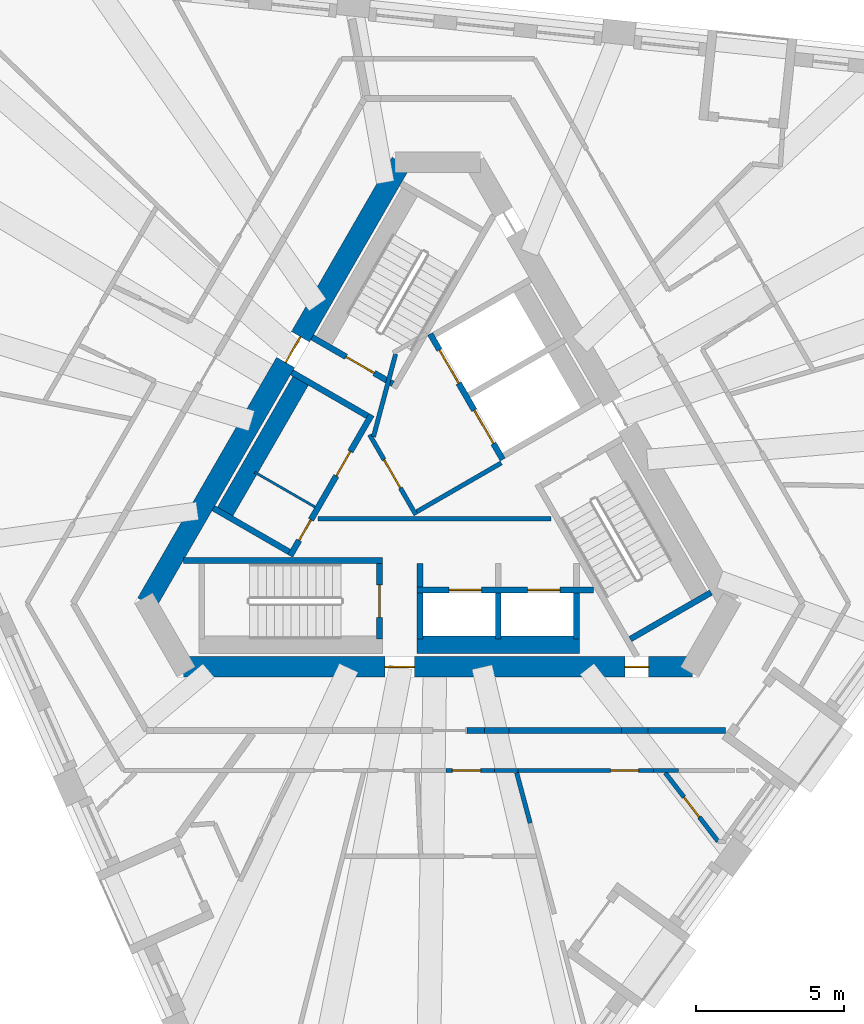
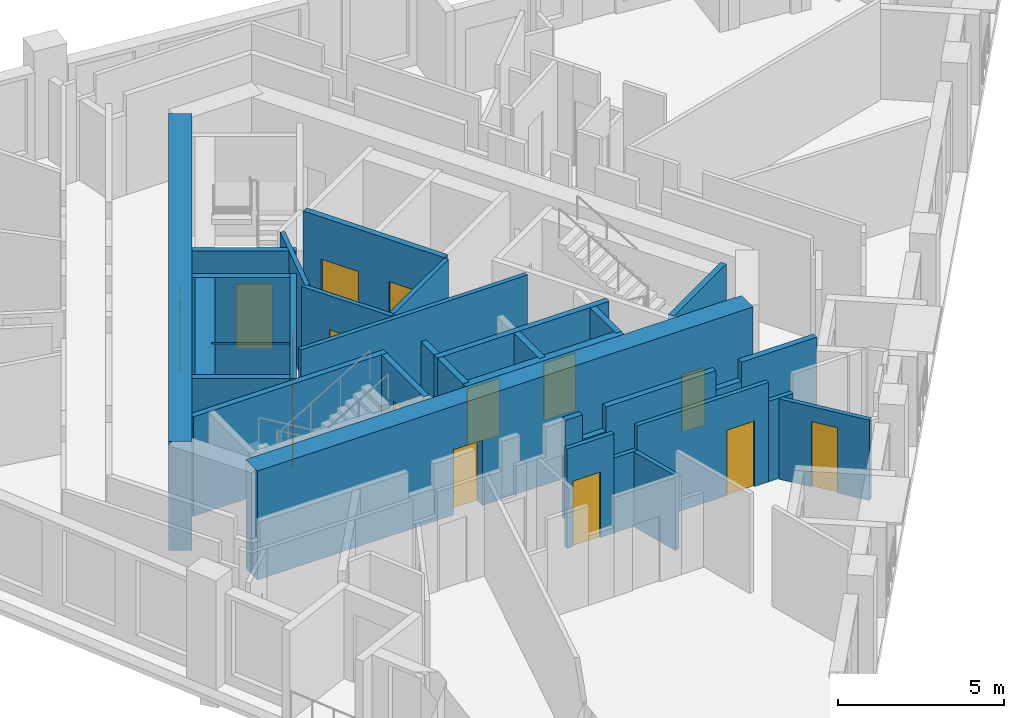
# One storey, part 4 of 11: 33 walls, 15 doors, 15 openings.
"""IFC4 building model written with IfcOpenShell, lengths in metres."""

from ifc_helpers import new_model, si_unit, direction, frame, frame_2d, origin, place, context, subcontext, project, spatial, rectangle, extrude, material, layer, layer_set, type_object, element, fill, save


model = new_model("IFC4")

# Units and contexts
model_context = context("Model", 3, precision=1e-05, world=origin(), true_north=direction((0.0, 1.0)))
body_context = subcontext(model_context, "Body", "Model", "MODEL_VIEW")
ifc_project = project(units=[si_unit("LENGTHUNIT", "METRE"), si_unit("AREAUNIT", "SQUARE_METRE"), si_unit("VOLUMEUNIT", "CUBIC_METRE"), si_unit("PLANEANGLEUNIT", "RADIAN"), si_unit("MASSUNIT", "GRAM", prefix="KILO")], contexts=[model_context])

# Site, building, storey
site_placement = place(None, origin())
site = spatial("IfcSite", under=ifc_project, at=site_placement, CompositionType="ELEMENT")
building_placement = place(site_placement, origin())
building = spatial("IfcBuilding", under=site, at=building_placement, Name="Tramontana Tower", CompositionType="ELEMENT")
storey_placement = place(building_placement, frame((0.0, 0.0, 249.199951171875)))
storey = spatial("IfcBuildingStorey", under=building, at=storey_placement, Name="L58", CompositionType="ELEMENT", Elevation=249.199951171875)

# Wall, opening, door
ifc_material_1 = material(Name="Concrete 70 MPa", Category="concrete")
ifc_layer_1 = layer(ifc_material_1, 0.699951171875)
ifc_layer_set_1 = layer_set([ifc_layer_1], Name="Core wall 700 70 MPa")
wall_type_1 = type_object("IfcWallType", Name="Core wall 700 70 MPa", PredefinedType="SHEAR", material=ifc_layer_set_1)
wall_1_placement = place(storey_placement, frame((-1.2412109375, 10.64990234375, 0.0), z_axis=(0.0, 0.0, 1.0), x_axis=(-0.500003331888, -0.866023480109, 0.0)))
wall_1 = element("IfcWall", 1, at=wall_1_placement, inside=storey, type_object=wall_type_1, Name="Core wall C1 L58", PredefinedType="SHEAR", context=body_context, shape_type="SweptSolid", body=[
    extrude(rectangle(XDim=17.205078125, YDim=0.699951171875, at=frame_2d((8.6025390625, 0.0))), origin(), (0.0, 0.0, 1.0), 4.0),
])
opening_1_placement = place(wall_1_placement, frame((6.8076171875, 0.0, 0.0)))
opening_1 = element("IfcOpeningElement", 2, at=opening_1_placement, cuts=wall_1, Name="Opening RG1", PredefinedType="OPENING", context=body_context, shape_type="SweptSolid", body=[
    extrude(rectangle(XDim=1.0, YDim=2.39990234375, at=frame_2d((0.5, 1.199951171875))), frame((0.0, 0.35986328125, 0.0), z_axis=(0.0, -1.0, 0.0), x_axis=(1.0, 0.0, 0.0)), (0.0, 0.0, 1.0), 0.719970703125),
])
ifc_material_2 = material(Name="Painted steel", Category="steel")
door_type_1 = type_object("IfcDoorType", Name="RING DOOR 1000", OperationType="SINGLE_SWING_LEFT", PredefinedType="DOOR", material=ifc_material_2)
door_1_placement = place(opening_1_placement, origin())
door_1 = element("IfcDoor", 3, at=door_1_placement, inside=storey, type_object=door_type_1, Name="Door RG1", OperationType="SINGLE_SWING_RIGHT", OverallHeight=2.39990234375, OverallWidth=1.0, PredefinedType="DOOR", context=body_context, shape_type="SweptSolid", body=[
    extrude(rectangle(XDim=1.0, YDim=2.39990234375, at=frame_2d((0.5, 1.199951171875))), frame((0.0, 0.02490234375, 0.0), z_axis=(0.0, -1.0, 0.0), x_axis=(1.0, 0.0, 0.0)), (0.0, 0.0, 1.0), 0.050048828125),
])
fill(opening_1, door_1)

# Wall, openings, doors
wall_2_placement = place(storey_placement, frame((-8.6025390625, -6.39990234375, 0.0), z_axis=(0.0, 0.0, 1.0), x_axis=(1.0, 0.0, 0.0)))
wall_2 = element("IfcWall", 4, at=wall_2_placement, inside=storey, type_object=wall_type_1, Name="Core wall C3 L58", PredefinedType="SHEAR", context=body_context, shape_type="SweptSolid", body=[
    extrude(rectangle(XDim=17.205078125, YDim=0.699951171875, at=frame_2d((8.6025390625, 0.0))), origin(), (0.0, 0.0, 1.0), 4.0),
])
opening_2_placement = place(wall_2_placement, frame((6.8076171875, 0.0, 0.0)))
opening_2 = element("IfcOpeningElement", 5, at=opening_2_placement, cuts=wall_2, Name="Opening RG2", PredefinedType="OPENING", context=body_context, shape_type="SweptSolid", body=[
    extrude(rectangle(XDim=1.0, YDim=2.39990234375, at=frame_2d((0.5, 1.199951171875))), frame((0.0, 0.35986328125, 0.0), z_axis=(0.0, -1.0, 0.0), x_axis=(1.0, 0.0, 0.0)), (0.0, 0.0, 1.0), 0.719970703125),
])
opening_3_placement = place(wall_2_placement, frame((14.921630859375, 0.0, 0.0)))
opening_3 = element("IfcOpeningElement", 6, at=opening_3_placement, cuts=wall_2, Name="Opening PD2", PredefinedType="OPENING", context=body_context, shape_type="SweptSolid", body=[
    extrude(rectangle(XDim=0.800048828125, YDim=2.10009765625, at=frame_2d((0.39990234375, 1.050048828125))), frame((0.0, 0.35986328125, 0.0), z_axis=(0.0, -1.0, 0.0), x_axis=(1.0, 0.0, 0.0)), (0.0, 0.0, 1.0), 0.719970703125),
])
ifc_material_3 = material(Name="Painted steel", Category="steel")
door_type_2 = type_object("IfcDoorType", Name="CUPBOARD DOOR 800", OperationType="SINGLE_SWING_LEFT", PredefinedType="DOOR", material=ifc_material_3)
door_2_placement = place(opening_3_placement, origin())
door_2 = element("IfcDoor", 7, at=door_2_placement, inside=storey, type_object=door_type_2, Name="Door PD2", OperationType="SINGLE_SWING_LEFT", OverallHeight=2.10009765625, OverallWidth=0.800048828125, PredefinedType="DOOR", context=body_context, shape_type="SweptSolid", body=[
    extrude(rectangle(XDim=0.800048828125, YDim=2.10009765625, at=frame_2d((0.39990234375, 1.050048828125))), frame((0.0, 0.02490234375, 0.0), z_axis=(0.0, -1.0, 0.0), x_axis=(1.0, 0.0, 0.0)), (0.0, 0.0, 1.0), 0.050048828125),
])
fill(opening_3, door_2)
door_3_placement = place(opening_2_placement, origin())
door_3 = element("IfcDoor", 8, at=door_3_placement, inside=storey, type_object=door_type_1, Name="Door RG2", OperationType="SINGLE_SWING_LEFT", OverallHeight=2.39990234375, OverallWidth=1.0, PredefinedType="DOOR", context=body_context, shape_type="SweptSolid", body=[
    extrude(rectangle(XDim=1.0, YDim=2.39990234375, at=frame_2d((0.5, 1.199951171875))), frame((0.0, 0.02490234375, 0.0), z_axis=(0.0, -1.0, 0.0), x_axis=(1.0, 0.0, 0.0)), (0.0, 0.0, 1.0), 0.050048828125),
])
fill(opening_2, door_3)

# Walls
ifc_material_4 = material(Name="Blockwork", Category="masonry")
ifc_layer_2 = layer(ifc_material_4, 0.199951171875)
ifc_layer_set_2 = layer_set([ifc_layer_2], Name="ENTRY WALL 200")
wall_type_2 = type_object("IfcWallType", Name="ENTRY WALL 200", PredefinedType="SOLIDWALL", material=ifc_layer_set_2)
wall_3_placement = place(storey_placement, frame((9.724609375, -8.550048828125, 0.0), z_axis=(0.0, 0.0, 1.0), x_axis=(-1.0, 0.0, 0.0)))
element("IfcWall", 9, at=wall_3_placement, inside=storey, type_object=wall_type_2, Name="Wall v61-ew1-0", PredefinedType="SOLIDWALL", context=body_context, shape_type="SweptSolid", body=[
    extrude(rectangle(XDim=2.62548828125, YDim=0.199951171875, at=frame_2d((1.312744140625, 0.0))), origin(), (0.0, 0.0, 1.0), 3.650146484375),
])
wall_4_placement = place(storey_placement, frame((7.09912109375, -8.550048828125, 0.0), z_axis=(0.0, 0.0, 1.0), x_axis=(-1.0, 0.0, 0.0)))
element("IfcWall", 10, at=wall_4_placement, inside=storey, type_object=wall_type_2, Name="Wall v61-ew1-1", PredefinedType="SOLIDWALL", context=body_context, shape_type="SweptSolid", body=[
    extrude(rectangle(XDim=0.88720703125, YDim=0.199951171875, at=frame_2d((0.443603515625, 0.0))), origin(), (0.0, 0.0, 1.0), 2.949951171875),
])
wall_5_placement = place(storey_placement, frame((6.2119140625, -8.550048828125, 0.0), z_axis=(0.0, 0.0, 1.0), x_axis=(-1.0, 0.0, 0.0)))
element("IfcWall", 11, at=wall_5_placement, inside=storey, type_object=wall_type_2, Name="Wall v61-ew1-2", PredefinedType="SOLIDWALL", context=body_context, shape_type="SweptSolid", body=[
    extrude(rectangle(XDim=3.810546875, YDim=0.199951171875, at=frame_2d((1.9052734375, 0.0))), origin(), (0.0, 0.0, 1.0), 3.650146484375),
])
wall_6_placement = place(storey_placement, frame((2.4013671875, -8.550048828125, 0.0), z_axis=(0.0, 0.0, 1.0), x_axis=(-1.0, 0.0, 0.0)))
element("IfcWall", 12, at=wall_6_placement, inside=storey, type_object=wall_type_2, Name="Wall v61-ew1-3", PredefinedType="SOLIDWALL", context=body_context, shape_type="SweptSolid", body=[
    extrude(rectangle(XDim=0.8212890625, YDim=0.199951171875, at=frame_2d((0.41064453125, 0.0))), origin(), (0.0, 0.0, 1.0), 2.75),
])
wall_7_placement = place(storey_placement, frame((1.580078125, -8.550048828125, 0.0), z_axis=(0.0, 0.0, 1.0), x_axis=(-1.0, 0.0, 0.0)))
element("IfcWall", 13, at=wall_7_placement, inside=storey, type_object=wall_type_2, Name="Wall v61-ew1-4", PredefinedType="SOLIDWALL", context=body_context, shape_type="SweptSolid", body=[
    extrude(rectangle(XDim=0.599609375, YDim=0.199951171875, at=frame_2d((0.2998046875, 0.0))), origin(), (0.0, 0.0, 1.0), 3.650146484375),
])

# Wall, opening, door
ifc_material_5 = material(Name="Gypsum board partition")
ifc_layer_3 = layer(ifc_material_5, 0.14990234375)
ifc_layer_set_3 = layer_set([ifc_layer_3], Name="PARTITION 150")
wall_type_3 = type_object("IfcWallType", Name="PARTITION 150", PredefinedType="PARTITIONING", material=ifc_layer_set_3)
wall_8_placement = place(storey_placement, frame((-0.744140625, -1.260986328125, 0.0), z_axis=(0.0, 0.0, 1.0), x_axis=(-0.500004234368, 0.866022959057, 0.0)))
wall_8 = element("IfcWall", 14, at=wall_8_placement, inside=storey, type_object=wall_type_3, Name="Wall ff-front", PredefinedType="PARTITIONING", context=body_context, shape_type="SweptSolid", body=[
    extrude(rectangle(XDim=3.125, YDim=0.14990234375, at=frame_2d((1.5625, 0.0))), origin(), (0.0, 0.0, 1.0), 3.650146484375),
])
opening_4_placement = place(wall_8_placement, frame((1.050048828125, 0.0, 0.0)))
opening_4 = element("IfcOpeningElement", 15, at=opening_4_placement, cuts=wall_8, Name="Opening FD1", PredefinedType="OPENING", context=body_context, shape_type="SweptSolid", body=[
    extrude(rectangle(XDim=1.10009765625, YDim=2.39990234375, at=frame_2d((0.550048828125, 1.199951171875))), frame((0.0, 0.0849609375, 0.0), z_axis=(0.0, -1.0, 0.0), x_axis=(1.0, 0.0, 0.0)), (0.0, 0.0, 1.0), 0.169921875),
])
ifc_material_6 = material(Name="Painted timber", Category="wood")
door_type_3 = type_object("IfcDoorType", Name="DOOR ENTRY 1100", OperationType="SINGLE_SWING_LEFT", PredefinedType="DOOR", material=ifc_material_6)
door_4_placement = place(opening_4_placement, origin())
door_4 = element("IfcDoor", 16, at=door_4_placement, inside=storey, type_object=door_type_3, Name="Door FD1", OperationType="SINGLE_SWING_LEFT", OverallHeight=2.39990234375, OverallWidth=1.10009765625, PredefinedType="DOOR", context=body_context, shape_type="SweptSolid", body=[
    extrude(rectangle(XDim=1.10009765625, YDim=2.39990234375, at=frame_2d((0.550048828125, 1.199951171875))), frame((0.0, 0.02490234375, 0.0), z_axis=(0.0, -1.0, 0.0), x_axis=(1.0, 0.0, 0.0)), (0.0, 0.0, 1.0), 0.050048828125),
])
fill(opening_4, door_4)

# Walls
wall_9_placement = place(storey_placement, frame((-0.716796875, -1.15869140625, 0.0), z_axis=(0.0, 0.0, 1.0), x_axis=(0.866008176907, 0.50002983664, 0.0)))
element("IfcWall", 17, at=wall_9_placement, inside=storey, type_object=wall_type_3, Name="Wall ff-end0", PredefinedType="PARTITIONING", context=body_context, shape_type="SweptSolid", body=[
    extrude(rectangle(XDim=3.300048828125, YDim=0.14990234375, at=frame_2d((1.64990234375, 0.0))), origin(), (0.0, 0.0, 1.0), 3.650146484375),
])
wall_10_placement = place(storey_placement, frame((-2.177978515625, 1.372314453125, 0.0), z_axis=(0.0, 0.0, 1.0), x_axis=(0.258808958833, 0.96592852884, 0.0)))
element("IfcWall", 18, at=wall_10_placement, inside=storey, type_object=wall_type_3, Name="Wall ff-diag", PredefinedType="PARTITIONING", context=body_context, shape_type="SweptSolid", body=[
    extrude(rectangle(XDim=2.902587890625, YDim=0.14990234375, at=frame_2d((1.451171875, 0.0))), origin(), (0.0, 0.0, 1.0), 3.650146484375),
])
wall_11_placement = place(storey_placement, frame((-4.053466796875, -1.39990234375, 0.0), z_axis=(0.0, 0.0, 1.0), x_axis=(1.0, 0.0, 0.0)))
element("IfcWall", 19, at=wall_11_placement, inside=storey, type_object=wall_type_3, Name="Wall hub-cut1", PredefinedType="PARTITIONING", context=body_context, shape_type="SweptSolid", body=[
    extrude(rectangle(XDim=7.8759765625, YDim=0.14990234375, at=frame_2d((3.93798828125, 0.0))), origin(), (0.0, 0.0, 1.0), 3.650146484375),
])
wall_12_placement = place(storey_placement, frame((2.662353515625, -9.97509765625, 0.0), z_axis=(0.0, 0.0, 1.0), x_axis=(0.25785226736, -0.966184355192, 0.0)))
element("IfcWall", 20, at=wall_12_placement, inside=storey, type_object=wall_type_3, Name="Wall v61-pw18-0", PredefinedType="PARTITIONING", context=body_context, shape_type="SweptSolid", body=[
    extrude(rectangle(XDim=1.762939453125, YDim=0.14990234375, at=frame_2d((0.88134765625, 0.0))), origin(), (0.0, 0.0, 1.0), 2.75),
])

# Wall, opening, door
wall_13_placement = place(storey_placement, frame((7.68017578125, -9.97509765625, 0.0), z_axis=(0.0, 0.0, 1.0), x_axis=(0.610056512493, -0.792357906229, 0.0)))
wall_13 = element("IfcWall", 21, at=wall_13_placement, inside=storey, type_object=wall_type_3, Name="Wall v61-pw26-0", PredefinedType="PARTITIONING", context=body_context, shape_type="SweptSolid", body=[
    extrude(rectangle(XDim=2.934326171875, YDim=0.14990234375, at=frame_2d((1.46728515625, 0.0))), origin(), (0.0, 0.0, 1.0), 2.949951171875),
])
opening_5_placement = place(wall_13_placement, frame((1.042236328125, 0.0, 0.0)))
opening_5 = element("IfcOpeningElement", 22, at=opening_5_placement, cuts=wall_13, Name="Opening B6B-13", PredefinedType="OPENING", context=body_context, shape_type="SweptSolid", body=[
    extrude(rectangle(XDim=0.85009765625, YDim=2.39990234375, at=frame_2d((0.425048828125, 1.199951171875))), frame((0.0, 0.0849609375, 0.0), z_axis=(0.0, -1.0, 0.0), x_axis=(1.0, 0.0, 0.0)), (0.0, 0.0, 1.0), 0.169921875),
])
ifc_material_7 = material(Name="Painted timber", Category="wood")
door_type_4 = type_object("IfcDoorType", Name="DOOR BATH 850", OperationType="SINGLE_SWING_LEFT", PredefinedType="DOOR", material=ifc_material_7)
door_5_placement = place(opening_5_placement, origin())
door_5 = element("IfcDoor", 23, at=door_5_placement, inside=storey, type_object=door_type_4, Name="Door B6B-13", OperationType="SINGLE_SWING_LEFT", OverallHeight=2.39990234375, OverallWidth=0.85009765625, PredefinedType="DOOR", context=body_context, shape_type="SweptSolid", body=[
    extrude(rectangle(XDim=0.85009765625, YDim=2.39990234375, at=frame_2d((0.425048828125, 1.199951171875))), frame((0.0, 0.02490234375, 0.0), z_axis=(0.0, -1.0, 0.0), x_axis=(1.0, 0.0, 0.0)), (0.0, 0.0, 1.0), 0.050048828125),
])
fill(opening_5, door_5)

# Wall
wall_14_placement = place(storey_placement, frame((8.134033203125, -9.89990234375, 0.0), z_axis=(0.0, 0.0, 1.0), x_axis=(-1.0, 0.0, 0.0)))
element("IfcWall", 24, at=wall_14_placement, inside=storey, type_object=wall_type_3, Name="Wall v61-pw28-1", PredefinedType="PARTITIONING", context=body_context, shape_type="SweptSolid", body=[
    extrude(rectangle(XDim=0.85546875, YDim=0.14990234375, at=frame_2d((0.427734375, 0.0))), origin(), (0.0, 0.0, 1.0), 2.949951171875),
])

# Wall, opening, door
wall_15_placement = place(storey_placement, frame((7.278564453125, -9.89990234375, 0.0), z_axis=(0.0, 0.0, 1.0), x_axis=(-1.0, 0.0, 0.0)))
wall_15 = element("IfcWall", 25, at=wall_15_placement, inside=storey, type_object=wall_type_3, Name="Wall v61-pw28-2", PredefinedType="PARTITIONING", context=body_context, shape_type="SweptSolid", body=[
    extrude(rectangle(XDim=4.57568359375, YDim=0.14990234375, at=frame_2d((2.287841796875, 0.0))), origin(), (0.0, 0.0, 1.0), 3.650146484375),
])
opening_6_placement = place(wall_15_placement, frame((0.492919921875, 0.0, 0.0)))
opening_6 = element("IfcOpeningElement", 26, at=opening_6_placement, cuts=wall_15, Name="Opening B6B-11", PredefinedType="OPENING", context=body_context, shape_type="SweptSolid", body=[
    extrude(rectangle(XDim=0.949951171875, YDim=2.39990234375, at=frame_2d((0.47509765625, 1.199951171875))), frame((0.0, 0.0849609375, 0.0), z_axis=(0.0, -1.0, 0.0), x_axis=(1.0, 0.0, 0.0)), (0.0, 0.0, 1.0), 0.169921875),
])
ifc_material_8 = material(Name="Painted timber", Category="wood")
door_type_5 = type_object("IfcDoorType", Name="DOOR ROOM 950", OperationType="SINGLE_SWING_LEFT", PredefinedType="DOOR", material=ifc_material_8)
door_6_placement = place(opening_6_placement, origin())
door_6 = element("IfcDoor", 27, at=door_6_placement, inside=storey, type_object=door_type_5, Name="Door B6B-11", OperationType="SINGLE_SWING_LEFT", OverallHeight=2.39990234375, OverallWidth=0.949951171875, PredefinedType="DOOR", context=body_context, shape_type="SweptSolid", body=[
    extrude(rectangle(XDim=0.949951171875, YDim=2.39990234375, at=frame_2d((0.47509765625, 1.199951171875))), frame((0.0, 0.02490234375, 0.0), z_axis=(0.0, -1.0, 0.0), x_axis=(1.0, 0.0, 0.0)), (0.0, 0.0, 1.0), 0.050048828125),
])
fill(opening_6, door_6)

# Wall
wall_16_placement = place(storey_placement, frame((2.702880859375, -9.89990234375, 0.0), z_axis=(0.0, 0.0, 1.0), x_axis=(-1.0, 0.0, 0.0)))
element("IfcWall", 28, at=wall_16_placement, inside=storey, type_object=wall_type_3, Name="Wall v61-pw28-3", PredefinedType="PARTITIONING", context=body_context, shape_type="SweptSolid", body=[
    extrude(rectangle(XDim=0.795654296875, YDim=0.14990234375, at=frame_2d((0.39794921875, 0.0))), origin(), (0.0, 0.0, 1.0), 2.75),
])

# Wall, opening, door
wall_17_placement = place(storey_placement, frame((1.9072265625, -9.89990234375, 0.0), z_axis=(0.0, 0.0, 1.0), x_axis=(-1.0, 0.0, 0.0)))
wall_17 = element("IfcWall", 29, at=wall_17_placement, inside=storey, type_object=wall_type_3, Name="Wall v61-pw28-4", PredefinedType="PARTITIONING", context=body_context, shape_type="SweptSolid", body=[
    extrude(rectangle(XDim=1.626220703125, YDim=0.14990234375, at=frame_2d((0.81298828125, 0.0))), origin(), (0.0, 0.0, 1.0), 3.650146484375),
])
opening_7_placement = place(wall_17_placement, frame((0.46484375, 0.0, 0.0)))
opening_7 = element("IfcOpeningElement", 30, at=opening_7_placement, cuts=wall_17, Name="Opening B6B-08", PredefinedType="OPENING", context=body_context, shape_type="SweptSolid", body=[
    extrude(rectangle(XDim=0.949951171875, YDim=2.39990234375, at=frame_2d((0.47509765625, 1.199951171875))), frame((0.0, 0.0849609375, 0.0), z_axis=(0.0, -1.0, 0.0), x_axis=(1.0, 0.0, 0.0)), (0.0, 0.0, 1.0), 0.169921875),
])
door_7_placement = place(opening_7_placement, origin())
door_7 = element("IfcDoor", 31, at=door_7_placement, inside=storey, type_object=door_type_5, Name="Door B6B-08", OperationType="SINGLE_SWING_RIGHT", OverallHeight=2.39990234375, OverallWidth=0.949951171875, PredefinedType="DOOR", context=body_context, shape_type="SweptSolid", body=[
    extrude(rectangle(XDim=0.949951171875, YDim=2.39990234375, at=frame_2d((0.47509765625, 1.199951171875))), frame((0.0, 0.02490234375, 0.0), z_axis=(0.0, -1.0, 0.0), x_axis=(1.0, 0.0, 0.0)), (0.0, 0.0, 1.0), 0.050048828125),
])
fill(opening_7, door_7)

# Walls
ifc_material_9 = material(Name="Gypsum board partition")
ifc_layer_4 = layer(ifc_material_9, 0.080078125)
ifc_layer_set_4 = layer_set([ifc_layer_4], Name="PARTITION 80")
wall_type_4 = type_object("IfcWallType", Name="PARTITION 80", PredefinedType="PARTITIONING", material=ifc_layer_set_4)
wall_18_placement = place(storey_placement, frame((-4.15478515625, -0.99609375, 0.0), z_axis=(0.0, 0.0, 1.0), x_axis=(-0.866016039709, 0.500016218704, 0.0)))
element("IfcWall", 32, at=wall_18_placement, inside=storey, type_object=wall_type_4, Name="Wall row0-split", PredefinedType="PARTITIONING", context=body_context, shape_type="SweptSolid", body=[
    extrude(rectangle(XDim=2.35009765625, YDim=0.080078125, at=frame_2d((1.175048828125, 0.0))), origin(), (0.0, 0.0, 1.0), 3.650146484375),
])
ifc_material_10 = material(Name="Concrete 70 MPa", Category="concrete")
ifc_layer_5 = layer(ifc_material_10, 0.60009765625)
ifc_layer_set_5 = layer_set([ifc_layer_5], Name="Concrete 70 MPa, 600 mm")
wall_type_5 = type_object("IfcWallType", Name="RC SHAFT BACK WALL 600", PredefinedType="SOLIDWALL", material=ifc_layer_set_5)
for number, where, z_axis, x_axis, name in (
    (33, (-4.5380859375, 3.43994140625, 0.0), (0.0, 0.0, 1.0), (-0.499996545922, -0.866027397988, 0.0), "Wall row0-back"),
    (34, (-0.7099609375, -5.64990234375, 0.0), (0.0, 0.0, 1.0), (1.0, 0.0, 0.0), "Wall row1-back"),
):
    element("IfcWall", number, at=place(storey_placement, frame(where, z_axis=z_axis, x_axis=x_axis)), inside=storey, type_object=wall_type_5, Name=name, PredefinedType="SOLIDWALL", context=body_context, shape_type="SweptSolid", body=[
        extrude(rectangle(XDim=5.5, YDim=0.60009765625, at=frame_2d((2.75, 0.0))), origin(), (0.0, 0.0, 1.0), 3.650146484375),
    ])

# Wall, opening, door
ifc_material_11 = material(Name="Concrete 70 MPa", Category="concrete")
ifc_layer_6 = layer(ifc_material_11, 0.199951171875)
ifc_layer_set_6 = layer_set([ifc_layer_6], Name="Concrete 70 MPa, 200 mm")
wall_type_6 = type_object("IfcWallType", Name="RC STAIR AND SHAFT WALL 200", PredefinedType="SOLIDWALL", material=ifc_layer_set_6)
wall_19_placement = place(storey_placement, frame((-1.521484375, 3.164794921875, 0.0), z_axis=(0.0, 0.0, 1.0), x_axis=(-0.866035871367, 0.499981869177, 0.0)))
wall_19 = element("IfcWall", 35, at=wall_19_placement, inside=storey, type_object=wall_type_6, Name="Wall st1-near", PredefinedType="SOLIDWALL", context=body_context, shape_type="SweptSolid", body=[
    extrude(rectangle(XDim=3.14990234375, YDim=0.199951171875, at=frame_2d((1.574951171875, 0.0))), origin(), (0.0, 0.0, 1.0), 3.650146484375),
])
opening_8_placement = place(wall_19_placement, frame((0.72509765625, 0.0, 0.0)))
opening_8 = element("IfcOpeningElement", 36, at=opening_8_placement, cuts=wall_19, Name="Opening SD1", PredefinedType="OPENING", context=body_context, shape_type="SweptSolid", body=[
    extrude(rectangle(XDim=1.10009765625, YDim=2.39990234375, at=frame_2d((0.550048828125, 1.199951171875))), frame((0.0, 0.10986328125, 0.0), z_axis=(0.0, -1.0, 0.0), x_axis=(1.0, 0.0, 0.0)), (0.0, 0.0, 1.0), 0.219970703125),
])
ifc_material_12 = material(Name="Painted steel", Category="steel")
door_type_6 = type_object("IfcDoorType", Name="STAIR DOOR 1100", OperationType="SINGLE_SWING_LEFT", PredefinedType="DOOR", material=ifc_material_12)
door_8_placement = place(opening_8_placement, origin())
door_8 = element("IfcDoor", 37, at=door_8_placement, inside=storey, type_object=door_type_6, Name="Door SD1", OperationType="SINGLE_SWING_RIGHT", OverallHeight=2.39990234375, OverallWidth=1.10009765625, PredefinedType="DOOR", context=body_context, shape_type="SweptSolid", body=[
    extrude(rectangle(XDim=1.10009765625, YDim=2.39990234375, at=frame_2d((0.550048828125, 1.199951171875))), frame((0.0, 0.02490234375, 0.0), z_axis=(0.0, -1.0, 0.0), x_axis=(1.0, 0.0, 0.0)), (0.0, 0.0, 1.0), 0.050048828125),
])
fill(opening_8, door_8)

# Wall
wall_20_placement = place(storey_placement, frame((-8.6025390625, -2.800048828125, 0.0), z_axis=(0.0, 0.0, 1.0), x_axis=(1.0, 0.0, 0.0)))
element("IfcWall", 38, at=wall_20_placement, inside=storey, type_object=wall_type_6, Name="Wall st2-front", PredefinedType="SOLIDWALL", context=body_context, shape_type="SweptSolid", body=[
    extrude(rectangle(XDim=6.72265625, YDim=0.199951171875, at=frame_2d((3.361328125, 0.0))), origin(), (0.0, 0.0, 1.0), 3.650146484375),
])

# Wall, opening, door
wall_21_placement = place(storey_placement, frame((-1.97998046875, -2.89990234375, 0.0), z_axis=(0.0, 0.0, 1.0), x_axis=(0.0, -1.0, 0.0)))
wall_21 = element("IfcWall", 39, at=wall_21_placement, inside=storey, type_object=wall_type_6, Name="Wall st2-near", PredefinedType="SOLIDWALL", context=body_context, shape_type="SweptSolid", body=[
    extrude(rectangle(XDim=2.550048828125, YDim=0.199951171875, at=frame_2d((1.27490234375, 0.0))), origin(), (0.0, 0.0, 1.0), 3.650146484375),
])
opening_9_placement = place(wall_21_placement, frame((0.72509765625, 0.0, 0.0)))
opening_9 = element("IfcOpeningElement", 40, at=opening_9_placement, cuts=wall_21, Name="Opening SD2", PredefinedType="OPENING", context=body_context, shape_type="SweptSolid", body=[
    extrude(rectangle(XDim=1.10009765625, YDim=2.39990234375, at=frame_2d((0.550048828125, 1.199951171875))), frame((0.0, 0.10986328125, 0.0), z_axis=(0.0, -1.0, 0.0), x_axis=(1.0, 0.0, 0.0)), (0.0, 0.0, 1.0), 0.219970703125),
])
door_9_placement = place(opening_9_placement, origin())
door_9 = element("IfcDoor", 41, at=door_9_placement, inside=storey, type_object=door_type_6, Name="Door SD2", OperationType="SINGLE_SWING_LEFT", OverallHeight=2.39990234375, OverallWidth=1.10009765625, PredefinedType="DOOR", context=body_context, shape_type="SweptSolid", body=[
    extrude(rectangle(XDim=1.10009765625, YDim=2.39990234375, at=frame_2d((0.550048828125, 1.199951171875))), frame((0.0, 0.02490234375, 0.0), z_axis=(0.0, -1.0, 0.0), x_axis=(1.0, 0.0, 0.0)), (0.0, 0.0, 1.0), 0.050048828125),
])
fill(opening_9, door_9)

# Wall
wall_22_placement = place(storey_placement, frame((6.50146484375, -5.4609375, 0.0), z_axis=(0.0, 0.0, 1.0), x_axis=(0.866035871367, 0.499981869177, 0.0)))
element("IfcWall", 42, at=wall_22_placement, inside=storey, type_object=wall_type_6, Name="Wall st3-far", PredefinedType="SOLIDWALL", context=body_context, shape_type="SweptSolid", body=[
    extrude(rectangle(XDim=3.14990234375, YDim=0.199951171875, at=frame_2d((1.574951171875, 0.0))), origin(), (0.0, 0.0, 1.0), 3.650146484375),
])

# Wall, openings, doors
wall_23_placement = place(storey_placement, frame((-4.9931640625, -2.648193359375, 0.0), z_axis=(0.0, 0.0, 1.0), x_axis=(0.499996545922, 0.866027397988, 0.0)))
wall_23 = element("IfcWall", 43, at=wall_23_placement, inside=storey, type_object=wall_type_6, Name="Wall row0-front", PredefinedType="SOLIDWALL", context=body_context, shape_type="SweptSolid", body=[
    extrude(rectangle(XDim=5.5, YDim=0.199951171875, at=frame_2d((2.75, 0.0))), origin(), (0.0, 0.0, 1.0), 3.650146484375),
])
opening_10_placement = place(wall_23_placement, frame((3.1201171875, 0.0, 0.0)))
opening_10 = element("IfcOpeningElement", 44, at=opening_10_placement, cuts=wall_23, Name="Opening RD-0A", PredefinedType="OPENING", context=body_context, shape_type="SweptSolid", body=[
    extrude(rectangle(XDim=0.949951171875, YDim=2.39990234375, at=frame_2d((0.47509765625, 1.199951171875))), frame((0.0, 0.10986328125, 0.0), z_axis=(0.0, -1.0, 0.0), x_axis=(1.0, 0.0, 0.0)), (0.0, 0.0, 1.0), 0.219970703125),
])
opening_11_placement = place(wall_23_placement, frame((0.60498046875, 0.0, 0.0)))
opening_11 = element("IfcOpeningElement", 45, at=opening_11_placement, cuts=wall_23, Name="Opening RD-0B", PredefinedType="OPENING", context=body_context, shape_type="SweptSolid", body=[
    extrude(rectangle(XDim=0.800048828125, YDim=2.10009765625, at=frame_2d((0.39990234375, 1.050048828125))), frame((0.0, 0.10986328125, 0.0), z_axis=(0.0, -1.0, 0.0), x_axis=(1.0, 0.0, 0.0)), (0.0, 0.0, 1.0), 0.219970703125),
])
door_10_placement = place(opening_11_placement, origin())
door_10 = element("IfcDoor", 46, at=door_10_placement, inside=storey, type_object=door_type_2, Name="Door RD-0B", OperationType="SINGLE_SWING_RIGHT", OverallHeight=2.10009765625, OverallWidth=0.800048828125, PredefinedType="DOOR", context=body_context, shape_type="SweptSolid", body=[
    extrude(rectangle(XDim=0.800048828125, YDim=2.10009765625, at=frame_2d((0.39990234375, 1.050048828125))), frame((0.0, 0.02490234375, 0.0), z_axis=(0.0, -1.0, 0.0), x_axis=(1.0, 0.0, 0.0)), (0.0, 0.0, 1.0), 0.050048828125),
])
fill(opening_11, door_10)
door_11_placement = place(opening_10_placement, origin())
door_11 = element("IfcDoor", 47, at=door_11_placement, inside=storey, type_object=door_type_5, Name="Door RD-0A", OperationType="SINGLE_SWING_LEFT", OverallHeight=2.39990234375, OverallWidth=0.949951171875, PredefinedType="DOOR", context=body_context, shape_type="SweptSolid", body=[
    extrude(rectangle(XDim=0.949951171875, YDim=2.39990234375, at=frame_2d((0.47509765625, 1.199951171875))), frame((0.0, 0.02490234375, 0.0), z_axis=(0.0, -1.0, 0.0), x_axis=(1.0, 0.0, 0.0)), (0.0, 0.0, 1.0), 0.050048828125),
])
fill(opening_10, door_11)

# Walls
for number, where, z_axis, x_axis, name in (
    (48, (-2.379638671875, 2.078369140625, 0.0), (0.0, 0.0, 1.0), (-0.866060182126, 0.499939757307, 0.0), "Wall row0-side0"),
    (49, (-5.02978515625, -2.51171875, 0.0), (0.0, 0.0, 1.0), (-0.866003658127, 0.500037662692, 0.0), "Wall row0-side2"),
):
    element("IfcWall", number, at=place(storey_placement, frame(where, z_axis=z_axis, x_axis=x_axis)), inside=storey, type_object=wall_type_6, Name=name, PredefinedType="SOLIDWALL", context=body_context, shape_type="SweptSolid", body=[
        extrude(rectangle(XDim=2.949951171875, YDim=0.199951171875, at=frame_2d((1.47509765625, 0.0))), origin(), (0.0, 0.0, 1.0), 3.650146484375),
    ])

# Wall, openings, doors
wall_24_placement = place(storey_placement, frame((-0.7099609375, -3.800048828125, 0.0), z_axis=(0.0, 0.0, 1.0), x_axis=(1.0, 0.0, 0.0)))
wall_24 = element("IfcWall", 50, at=wall_24_placement, inside=storey, type_object=wall_type_6, Name="Wall row1-front", PredefinedType="SOLIDWALL", context=body_context, shape_type="SweptSolid", body=[
    extrude(rectangle(XDim=5.96142578125, YDim=0.199951171875, at=frame_2d((2.980712890625, 0.0))), origin(), (0.0, 0.0, 1.0), 3.650146484375),
])
opening_12_placement = place(wall_24_placement, frame((1.090087890625, 0.0, 0.0)))
opening_12 = element("IfcOpeningElement", 51, at=opening_12_placement, cuts=wall_24, Name="Opening LD-S1", PredefinedType="OPENING", context=body_context, shape_type="SweptSolid", body=[
    extrude(rectangle(XDim=1.10009765625, YDim=2.10009765625, at=frame_2d((0.550048828125, 1.050048828125))), frame((0.0, 0.10986328125, 0.0), z_axis=(0.0, -1.0, 0.0), x_axis=(1.0, 0.0, 0.0)), (0.0, 0.0, 1.0), 0.219970703125),
])
opening_13_placement = place(wall_24_placement, frame((3.739990234375, 0.0, 0.0)))
opening_13 = element("IfcOpeningElement", 52, at=opening_13_placement, cuts=wall_24, Name="Opening LD-S2", PredefinedType="OPENING", context=body_context, shape_type="SweptSolid", body=[
    extrude(rectangle(XDim=1.10009765625, YDim=2.10009765625, at=frame_2d((0.550048828125, 1.050048828125))), frame((0.0, 0.10986328125, 0.0), z_axis=(0.0, -1.0, 0.0), x_axis=(1.0, 0.0, 0.0)), (0.0, 0.0, 1.0), 0.219970703125),
])
ifc_material_13 = material(Name="Brushed steel", Category="steel")
door_type_7 = type_object("IfcDoorType", Name="LANDING DOOR 1100", OperationType="SINGLE_SWING_LEFT", PredefinedType="DOOR", material=ifc_material_13)
door_12_placement = place(opening_12_placement, origin())
door_12 = element("IfcDoor", 53, at=door_12_placement, inside=storey, type_object=door_type_7, Name="Door LD-S1", OperationType="SLIDING_TO_LEFT", OverallHeight=2.10009765625, OverallWidth=1.10009765625, PredefinedType="DOOR", context=body_context, shape_type="SweptSolid", body=[
    extrude(rectangle(XDim=1.10009765625, YDim=2.10009765625, at=frame_2d((0.550048828125, 1.050048828125))), frame((0.0, 0.02490234375, 0.0), z_axis=(0.0, -1.0, 0.0), x_axis=(1.0, 0.0, 0.0)), (0.0, 0.0, 1.0), 0.050048828125),
])
fill(opening_12, door_12)
door_13_placement = place(opening_13_placement, origin())
door_13 = element("IfcDoor", 54, at=door_13_placement, inside=storey, type_object=door_type_7, Name="Door LD-S2", OperationType="SLIDING_TO_RIGHT", OverallHeight=2.10009765625, OverallWidth=1.10009765625, PredefinedType="DOOR", context=body_context, shape_type="SweptSolid", body=[
    extrude(rectangle(XDim=1.10009765625, YDim=2.10009765625, at=frame_2d((0.550048828125, 1.050048828125))), frame((0.0, 0.02490234375, 0.0), z_axis=(0.0, -1.0, 0.0), x_axis=(1.0, 0.0, 0.0)), (0.0, 0.0, 1.0), 0.050048828125),
])
fill(opening_13, door_13)

# Walls
wall_25_placement = place(storey_placement, frame((-0.610107421875, -3.89990234375, 0.0), z_axis=(0.0, 0.0, 1.0), x_axis=(0.0, -1.0, 0.0)))
element("IfcWall", 55, at=wall_25_placement, inside=storey, type_object=wall_type_6, Name="Wall row1-side0", PredefinedType="SOLIDWALL", context=body_context, shape_type="SweptSolid", body=[
    extrude(rectangle(XDim=1.550048828125, YDim=0.199951171875, at=frame_2d((0.77490234375, 0.0))), origin(), (0.0, 0.0, 1.0), 3.650146484375),
])
wall_26_placement = place(storey_placement, frame((-0.610107421875, -2.89990234375, 0.0), z_axis=(0.0, 0.0, 1.0), x_axis=(0.0, -1.0, 0.0)))
element("IfcWall", 56, at=wall_26_placement, inside=storey, type_object=wall_type_6, Name="Wall row1-side0-ret", PredefinedType="SOLIDWALL", context=body_context, shape_type="SweptSolid", body=[
    extrude(rectangle(XDim=0.800048828125, YDim=0.199951171875, at=frame_2d((0.39990234375, 0.0))), origin(), (0.0, 0.0, 1.0), 3.650146484375),
])
for number, where, z_axis, x_axis, name in (
    (57, (2.0400390625, -3.89990234375, 0.0), (0.0, 0.0, 1.0), (0.0, -1.0, 0.0), "Wall row1-side1"),
    (58, (4.68994140625, -3.89990234375, 0.0), (0.0, 0.0, 1.0), (0.0, -1.0, 0.0), "Wall row1-side2"),
):
    element("IfcWall", number, at=place(storey_placement, frame(where, z_axis=z_axis, x_axis=x_axis)), inside=storey, type_object=wall_type_6, Name=name, PredefinedType="SOLIDWALL", context=body_context, shape_type="SweptSolid", body=[
        extrude(rectangle(XDim=1.550048828125, YDim=0.199951171875, at=frame_2d((0.77490234375, 0.0))), origin(), (0.0, 0.0, 1.0), 3.650146484375),
    ])

# Wall, openings, doors
wall_27_placement = place(storey_placement, frame((2.190185546875, 0.6064453125, 0.0), z_axis=(0.0, 0.0, 1.0), x_axis=(-0.500002801628, 0.866023786258, 0.0)))
wall_27 = element("IfcWall", 59, at=wall_27_placement, inside=storey, type_object=wall_type_6, Name="Wall row2-front", PredefinedType="SOLIDWALL", context=body_context, shape_type="SweptSolid", body=[
    extrude(rectangle(XDim=4.89990234375, YDim=0.199951171875, at=frame_2d((2.449951171875, 0.0))), origin(), (0.0, 0.0, 1.0), 3.650146484375),
])
opening_14_placement = place(wall_27_placement, frame((0.625, 0.0, 0.0)))
opening_14 = element("IfcOpeningElement", 60, at=opening_14_placement, cuts=wall_27, Name="Opening LD-F1", PredefinedType="OPENING", context=body_context, shape_type="SweptSolid", body=[
    extrude(rectangle(XDim=1.300048828125, YDim=2.10009765625, at=frame_2d((0.64990234375, 1.050048828125))), frame((0.0, 0.10986328125, 0.0), z_axis=(0.0, -1.0, 0.0), x_axis=(1.0, 0.0, 0.0)), (0.0, 0.0, 1.0), 0.219970703125),
])
opening_15_placement = place(wall_27_placement, frame((2.97509765625, 0.0, 0.0)))
opening_15 = element("IfcOpeningElement", 61, at=opening_15_placement, cuts=wall_27, Name="Opening LD-F2", PredefinedType="OPENING", context=body_context, shape_type="SweptSolid", body=[
    extrude(rectangle(XDim=1.300048828125, YDim=2.10009765625, at=frame_2d((0.64990234375, 1.050048828125))), frame((0.0, 0.10986328125, 0.0), z_axis=(0.0, -1.0, 0.0), x_axis=(1.0, 0.0, 0.0)), (0.0, 0.0, 1.0), 0.219970703125),
])
ifc_material_14 = material(Name="Brushed steel", Category="steel")
door_type_8 = type_object("IfcDoorType", Name="LANDING DOOR 1300", OperationType="SINGLE_SWING_LEFT", PredefinedType="DOOR", material=ifc_material_14)
door_14_placement = place(opening_14_placement, origin())
door_14 = element("IfcDoor", 62, at=door_14_placement, inside=storey, type_object=door_type_8, Name="Door LD-F1", OperationType="SLIDING_TO_LEFT", OverallHeight=2.10009765625, OverallWidth=1.300048828125, PredefinedType="DOOR", context=body_context, shape_type="SweptSolid", body=[
    extrude(rectangle(XDim=1.300048828125, YDim=2.10009765625, at=frame_2d((0.64990234375, 1.050048828125))), frame((0.0, 0.02490234375, 0.0), z_axis=(0.0, -1.0, 0.0), x_axis=(1.0, 0.0, 0.0)), (0.0, 0.0, 1.0), 0.050048828125),
])
fill(opening_14, door_14)
door_15_placement = place(opening_15_placement, origin())
door_15 = element("IfcDoor", 63, at=door_15_placement, inside=storey, type_object=door_type_8, Name="Door LD-F2", OperationType="SLIDING_TO_RIGHT", OverallHeight=2.10009765625, OverallWidth=1.300048828125, PredefinedType="DOOR", context=body_context, shape_type="SweptSolid", body=[
    extrude(rectangle(XDim=1.300048828125, YDim=2.10009765625, at=frame_2d((0.64990234375, 1.050048828125))), frame((0.0, 0.02490234375, 0.0), z_axis=(0.0, -1.0, 0.0), x_axis=(1.0, 0.0, 0.0)), (0.0, 0.0, 1.0), 0.050048828125),
])
fill(opening_15, door_15)

save(model, "model.ifc")
